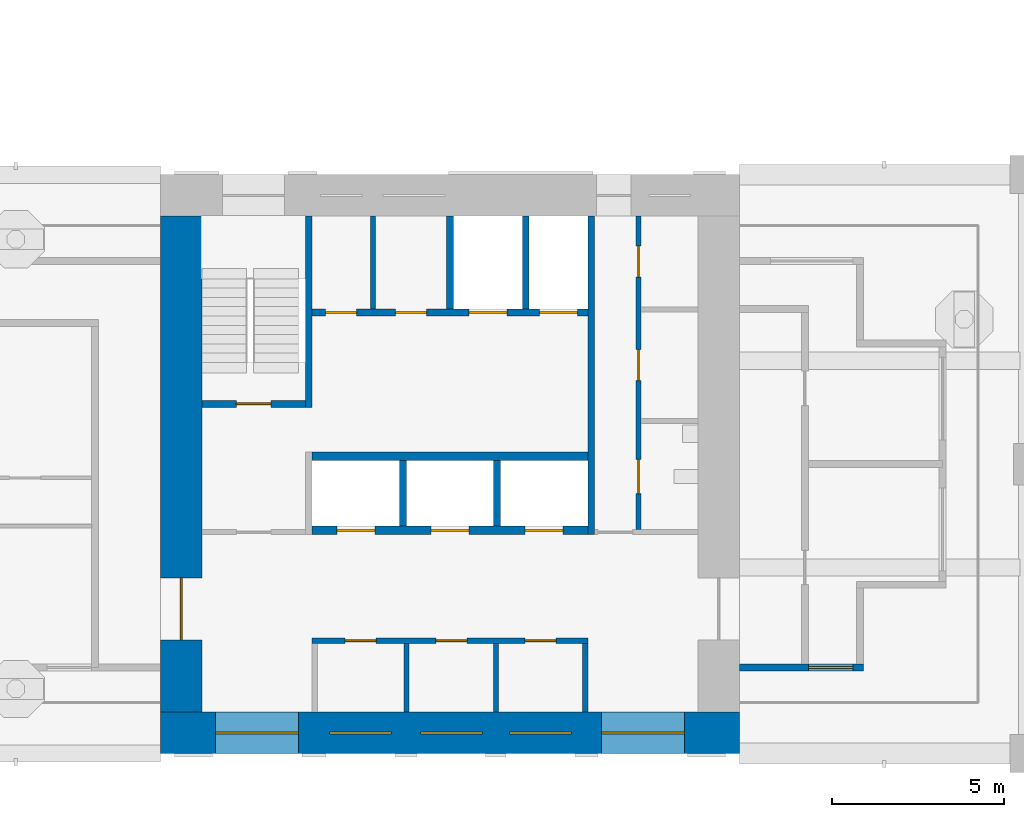
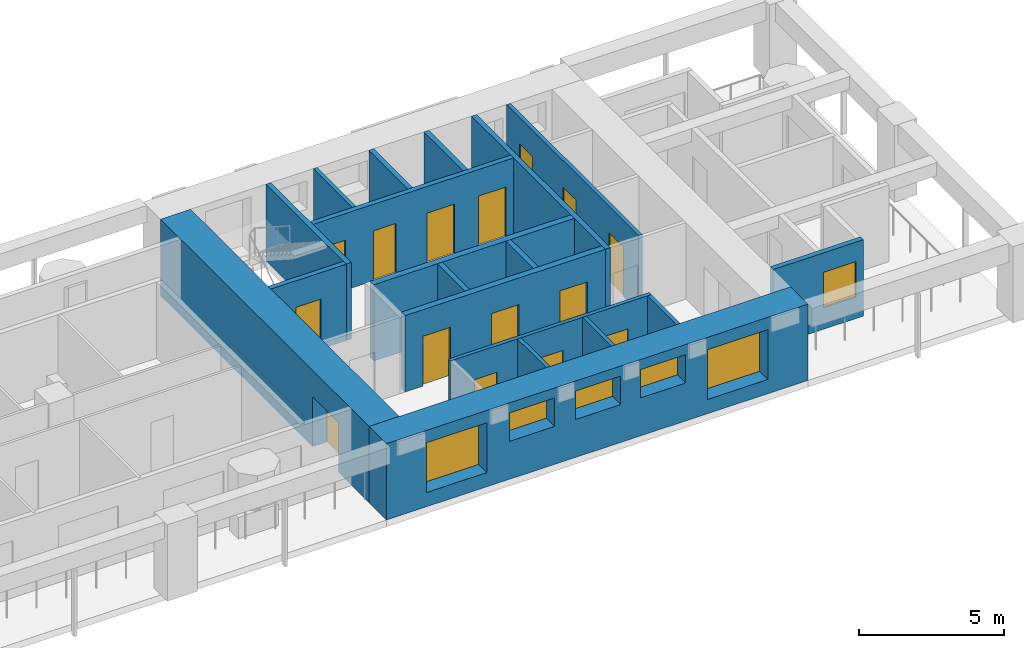
# One storey, part 4 of 13: 19 walls, 15 doors, 6 windows, 21 openings.
"""IFC4 building model written with IfcOpenShell, lengths in metres."""

from ifc_helpers import new_model, si_unit, direction, frame, frame_2d, origin, place, context, subcontext, project, spatial, rectangle, extrude, material, layer, layer_set, type_object, element, fill, save


model = new_model("IFC4")

# Units and contexts
model_context = context("Model", 3, precision=1e-05, world=origin(), true_north=direction((0.0, 1.0)))
body_context = subcontext(model_context, "Body", "Model", "MODEL_VIEW")
ifc_project = project(units=[si_unit("LENGTHUNIT", "METRE"), si_unit("AREAUNIT", "SQUARE_METRE"), si_unit("VOLUMEUNIT", "CUBIC_METRE"), si_unit("PLANEANGLEUNIT", "RADIAN"), si_unit("MASSUNIT", "GRAM", prefix="KILO")], contexts=[model_context])

# Site, building, storey
site_placement = place(None, origin())
site = spatial("IfcSite", under=ifc_project, at=site_placement, CompositionType="ELEMENT")
building_placement = place(site_placement, origin())
building = spatial("IfcBuilding", under=site, at=building_placement, Name="Vermilion Gate Residences", CompositionType="ELEMENT")
storey_placement = place(building_placement, frame((0.0, 0.0, 193.199951171875)))
storey = spatial("IfcBuildingStorey", under=building, at=storey_placement, Name="L50", CompositionType="ELEMENT", Elevation=193.199951171875)

# Walls
ifc_material_1 = material(Name="Masonry blockwork", Category="masonry")
ifc_layer_1 = layer(ifc_material_1, 0.14990234375)
ifc_layer_set_1 = layer_set([ifc_layer_1], Name="BLOCKWORK PARTITION 150 EI 120")
wall_type_1 = type_object("IfcWallType", Name="BLOCKWORK PARTITION 150 EI 120", PredefinedType="PARTITIONING", material=ifc_layer_set_1)
for number, where, z_axis, x_axis, name in (
    (1, (54.324951171875, 9.60009765625, 0.0), (0.0, 0.0, 1.0), (0.0, 1.0, 0.0), "Core room partition A50-RW-E"),
    (2, (49.14111328125, 9.60009765625, 0.0), (0.0, 0.0, 1.0), (0.0, 1.0, 0.0), "Core room partition A50-SR-P0"),
    (3, (51.73291015625, 9.60009765625, 0.0), (0.0, 0.0, 1.0), (0.0, 1.0, 0.0), "Core room partition A50-SR-P1"),
):
    element("IfcWall", number, at=place(storey_placement, frame(where, z_axis=z_axis, x_axis=x_axis)), inside=storey, type_object=wall_type_1, Name=name, PredefinedType="PARTITIONING", context=body_context, shape_type="SweptSolid", body=[
        extrude(rectangle(XDim=2.0, YDim=0.14990234375, at=frame_2d((1.0, 0.0))), origin(), (0.0, 0.0, 1.0), 3.219970703125),
    ])

# Wall, openings, doors
wall_1_placement = place(storey_placement, frame((46.39990234375, 11.675048828125, 0.0), z_axis=(0.0, 0.0, 1.0), x_axis=(1.0, 0.0, 0.0)))
wall_1 = element("IfcWall", 4, at=wall_1_placement, inside=storey, type_object=wall_type_1, Name="Core room partition A50-LR-F", PredefinedType="PARTITIONING", context=body_context, shape_type="SweptSolid", body=[
    extrude(rectangle(XDim=8.0, YDim=0.14990234375, at=frame_2d((4.0, 0.0))), origin(), (0.0, 0.0, 1.0), 3.219970703125),
])
opening_1_placement = place(wall_1_placement, frame((0.9580078125, 0.0, 0.0)))
opening_1 = element("IfcOpeningElement", 5, at=opening_1_placement, cuts=wall_1, Name="Opening DK50003", PredefinedType="OPENING", context=body_context, shape_type="SweptSolid", body=[
    extrude(rectangle(XDim=0.89990234375, YDim=2.10009765625, at=frame_2d((0.449951171875, 1.050048828125))), frame((0.0, 0.0849609375, 0.0), z_axis=(0.0, -1.0, 0.0), x_axis=(1.0, 0.0, 0.0)), (0.0, 0.0, 1.0), 0.169921875),
])
opening_2_placement = place(wall_1_placement, frame((3.5869140625, 0.0, 0.0)))
opening_2 = element("IfcOpeningElement", 6, at=opening_2_placement, cuts=wall_1, Name="Opening DK50004", PredefinedType="OPENING", context=body_context, shape_type="SweptSolid", body=[
    extrude(rectangle(XDim=0.89990234375, YDim=2.10009765625, at=frame_2d((0.449951171875, 1.050048828125))), frame((0.0, 0.0849609375, 0.0), z_axis=(0.0, -1.0, 0.0), x_axis=(1.0, 0.0, 0.0)), (0.0, 0.0, 1.0), 0.169921875),
])
opening_3_placement = place(wall_1_placement, frame((6.178955078125, 0.0, 0.0)))
opening_3 = element("IfcOpeningElement", 7, at=opening_3_placement, cuts=wall_1, Name="Opening DK50005", PredefinedType="OPENING", context=body_context, shape_type="SweptSolid", body=[
    extrude(rectangle(XDim=0.89990234375, YDim=2.10009765625, at=frame_2d((0.449951171875, 1.050048828125))), frame((0.0, 0.0849609375, 0.0), z_axis=(0.0, -1.0, 0.0), x_axis=(1.0, 0.0, 0.0)), (0.0, 0.0, 1.0), 0.169921875),
])
ifc_material_2 = material(Name="Steel", Category="steel")
door_type_1 = type_object("IfcDoorType", Name="SERVICE ROOM DOOR FD60 900 X 2100", OperationType="SINGLE_SWING_LEFT", PredefinedType="DOOR", material=ifc_material_2)
door_1_placement = place(opening_1_placement, origin())
door_1 = element("IfcDoor", 8, at=door_1_placement, inside=storey, type_object=door_type_1, Name="Electrical room A50", OperationType="SINGLE_SWING_LEFT", OverallHeight=2.10009765625, OverallWidth=0.89990234375, PredefinedType="DOOR", context=body_context, shape_type="SweptSolid", body=[
    extrude(rectangle(XDim=0.89990234375, YDim=2.10009765625, at=frame_2d((0.449951171875, 1.050048828125))), frame((0.0, 0.02490234375, 0.0), z_axis=(0.0, -1.0, 0.0), x_axis=(1.0, 0.0, 0.0)), (0.0, 0.0, 1.0), 0.050048828125),
])
fill(opening_1, door_1)
door_2_placement = place(opening_2_placement, frame((0.89990234375, 0.0, 0.0), z_axis=(0.0, 0.0, 1.0), x_axis=(-1.0, 0.0, 0.0)))
door_2 = element("IfcDoor", 9, at=door_2_placement, inside=storey, type_object=door_type_1, Name="Communications room A50", OperationType="SINGLE_SWING_LEFT", OverallHeight=2.10009765625, OverallWidth=0.89990234375, PredefinedType="DOOR", context=body_context, shape_type="SweptSolid", body=[
    extrude(rectangle(XDim=0.89990234375, YDim=2.10009765625, at=frame_2d((0.449951171875, 1.050048828125))), frame((0.0, 0.02490234375, 0.0), z_axis=(0.0, -1.0, 0.0), x_axis=(1.0, 0.0, 0.0)), (0.0, 0.0, 1.0), 0.050048828125),
])
fill(opening_2, door_2)
door_3_placement = place(opening_3_placement, frame((0.89990234375, 0.0, 0.0), z_axis=(0.0, 0.0, 1.0), x_axis=(-1.0, 0.0, 0.0)))
door_3 = element("IfcDoor", 10, at=door_3_placement, inside=storey, type_object=door_type_1, Name="Refuse room A50", OperationType="SINGLE_SWING_RIGHT", OverallHeight=2.10009765625, OverallWidth=0.89990234375, PredefinedType="DOOR", context=body_context, shape_type="SweptSolid", body=[
    extrude(rectangle(XDim=0.89990234375, YDim=2.10009765625, at=frame_2d((0.449951171875, 1.050048828125))), frame((0.0, 0.02490234375, 0.0), z_axis=(0.0, -1.0, 0.0), x_axis=(1.0, 0.0, 0.0)), (0.0, 0.0, 1.0), 0.050048828125),
])
fill(opening_3, door_3)

# Wall
wall_2_placement = place(storey_placement, frame((48.16259765625, 21.300048828125, 0.0), z_axis=(0.0, 0.0, 1.0), x_axis=(0.0, 1.0, 0.0)))
element("IfcWall", 11, at=wall_2_placement, inside=storey, type_object=wall_type_1, Name="Core room partition A50-NR-P0", PredefinedType="PARTITIONING", context=body_context, shape_type="SweptSolid", body=[
    extrude(rectangle(XDim=2.699951171875, YDim=0.14990234375, at=frame_2d((1.35009765625, 0.0))), origin(), (0.0, 0.0, 1.0), 3.219970703125),
])

# Wall, openings, doors
wall_3_placement = place(storey_placement, frame((55.875, 14.89990234375, 0.0), z_axis=(0.0, 0.0, 1.0), x_axis=(0.0, 1.0, 0.0)))
wall_3 = element("IfcWall", 12, at=wall_3_placement, inside=storey, type_object=wall_type_1, Name="Core room partition A50-ES-W", PredefinedType="PARTITIONING", context=body_context, shape_type="SweptSolid", body=[
    extrude(rectangle(XDim=9.10009765625, YDim=0.14990234375, at=frame_2d((4.550048828125, 0.0))), origin(), (0.0, 0.0, 1.0), 3.219970703125),
])
opening_4_placement = place(wall_3_placement, frame((1.0400390625, 0.0, 0.0)))
opening_4 = element("IfcOpeningElement", 13, at=opening_4_placement, cuts=wall_3, Name="Opening DK50016", PredefinedType="OPENING", context=body_context, shape_type="SweptSolid", body=[
    extrude(rectangle(XDim=1.0, YDim=2.10009765625, at=frame_2d((0.5, 1.050048828125))), frame((0.0, 0.0849609375, 0.0), z_axis=(0.0, -1.0, 0.0), x_axis=(1.0, 0.0, 0.0)), (0.0, 0.0, 1.0), 0.169921875),
])
opening_5_placement = place(wall_3_placement, frame((4.320068359375, 0.0, 0.0)))
opening_5 = element("IfcOpeningElement", 14, at=opening_5_placement, cuts=wall_3, Name="Opening DK50017", PredefinedType="OPENING", context=body_context, shape_type="SweptSolid", body=[
    extrude(rectangle(XDim=0.89990234375, YDim=2.10009765625, at=frame_2d((0.449951171875, 1.050048828125))), frame((0.0, 0.0849609375, 0.0), z_axis=(0.0, -1.0, 0.0), x_axis=(1.0, 0.0, 0.0)), (0.0, 0.0, 1.0), 0.169921875),
])
opening_6_placement = place(wall_3_placement, frame((7.330078125, 0.0, 0.0)))
opening_6 = element("IfcOpeningElement", 15, at=opening_6_placement, cuts=wall_3, Name="Opening DK50018", PredefinedType="OPENING", context=body_context, shape_type="SweptSolid", body=[
    extrude(rectangle(XDim=0.89990234375, YDim=2.10009765625, at=frame_2d((0.449951171875, 1.050048828125))), frame((0.0, 0.0849609375, 0.0), z_axis=(0.0, -1.0, 0.0), x_axis=(1.0, 0.0, 0.0)), (0.0, 0.0, 1.0), 0.169921875),
])
ifc_material_3 = material(Name="Steel", Category="steel")
door_type_2 = type_object("IfcDoorType", Name="FIRE DOOR FD60 1000 X 2100", OperationType="SINGLE_SWING_LEFT", PredefinedType="DOOR", material=ifc_material_3)
door_4_placement = place(opening_4_placement, frame((1.0, 0.0, 0.0), z_axis=(0.0, 0.0, 1.0), x_axis=(-1.0, 0.0, 0.0)))
door_4 = element("IfcDoor", 16, at=door_4_placement, inside=storey, type_object=door_type_2, Name="Accessible WC A50", OperationType="SINGLE_SWING_LEFT", OverallHeight=2.10009765625, OverallWidth=1.0, PredefinedType="DOOR", context=body_context, shape_type="SweptSolid", body=[
    extrude(rectangle(XDim=1.0, YDim=2.10009765625, at=frame_2d((0.5, 1.050048828125))), frame((0.0, 0.02490234375, 0.0), z_axis=(0.0, -1.0, 0.0), x_axis=(1.0, 0.0, 0.0)), (0.0, 0.0, 1.0), 0.050048828125),
])
fill(opening_4, door_4)
door_5_placement = place(opening_5_placement, frame((0.89990234375, 0.0, 0.0), z_axis=(0.0, 0.0, 1.0), x_axis=(-1.0, 0.0, 0.0)))
door_5 = element("IfcDoor", 17, at=door_5_placement, inside=storey, type_object=door_type_1, Name="Refuse room A50", OperationType="SINGLE_SWING_RIGHT", OverallHeight=2.10009765625, OverallWidth=0.89990234375, PredefinedType="DOOR", context=body_context, shape_type="SweptSolid", body=[
    extrude(rectangle(XDim=0.89990234375, YDim=2.10009765625, at=frame_2d((0.449951171875, 1.050048828125))), frame((0.0, 0.02490234375, 0.0), z_axis=(0.0, -1.0, 0.0), x_axis=(1.0, 0.0, 0.0)), (0.0, 0.0, 1.0), 0.050048828125),
])
fill(opening_5, door_5)
door_6_placement = place(opening_6_placement, frame((0.89990234375, 0.0, 0.0), z_axis=(0.0, 0.0, 1.0), x_axis=(-1.0, 0.0, 0.0)))
door_6 = element("IfcDoor", 18, at=door_6_placement, inside=storey, type_object=door_type_1, Name="Parcel room A50", OperationType="SINGLE_SWING_LEFT", OverallHeight=2.10009765625, OverallWidth=0.89990234375, PredefinedType="DOOR", context=body_context, shape_type="SweptSolid", body=[
    extrude(rectangle(XDim=0.89990234375, YDim=2.10009765625, at=frame_2d((0.449951171875, 1.050048828125))), frame((0.0, 0.02490234375, 0.0), z_axis=(0.0, -1.0, 0.0), x_axis=(1.0, 0.0, 0.0)), (0.0, 0.0, 1.0), 0.050048828125),
])
fill(opening_6, door_6)

# Wall, opening, window
ifc_material_4 = material(Name="Insulated steel stud wall with terracotta rainscreen", Category="masonry")
ifc_layer_2 = layer(ifc_material_4, 0.199951171875)
ifc_layer_set_2 = layer_set([ifc_layer_2], Name="EXTERNAL WALL 200 TERRACOTTA RAINSCREEN")
wall_type_2 = type_object("IfcWallType", Name="EXTERNAL WALL 200 TERRACOTTA RAINSCREEN", PredefinedType="SOLIDWALL", material=ifc_layer_set_2)
wall_4_placement = place(storey_placement, frame((58.800048828125, 10.89990234375, 0.0), z_axis=(0.0, 0.0, 1.0), x_axis=(1.0, 0.0, 0.0)))
wall_4 = element("IfcWall", 19, at=wall_4_placement, inside=storey, type_object=wall_type_2, Name="External wall", PredefinedType="SOLIDWALL", context=body_context, shape_type="SweptSolid", body=[
    extrude(rectangle(XDim=3.599853515625, YDim=0.199951171875, at=frame_2d((1.7998046875, 0.0))), origin(), (0.0, 0.0, 1.0), 3.219970703125),
])
opening_7_placement = place(wall_4_placement, frame((2.0, 0.0, 0.89990234375)))
opening_7 = element("IfcOpeningElement", 20, at=opening_7_placement, cuts=wall_4, Name="Opening WE50015", PredefinedType="OPENING", context=body_context, shape_type="SweptSolid", body=[
    extrude(rectangle(XDim=1.300048828125, YDim=1.5, at=frame_2d((0.64990234375, 0.75))), frame((0.0, 0.10986328125, 0.0), z_axis=(0.0, -1.0, 0.0), x_axis=(1.0, 0.0, 0.0)), (0.0, 0.0, 1.0), 0.219970703125),
])
ifc_material_5 = material(Name="Aluminium and clear glass", Category="aluminium")
window_type_1 = type_object("IfcWindowType", Name="WINDOW 1300 X 1500", PartitioningType="SINGLE_PANEL", PredefinedType="WINDOW", material=ifc_material_5)
window_1_placement = place(opening_7_placement, origin())
window_1 = element("IfcWindow", 21, at=window_1_placement, inside=storey, type_object=window_type_1, Name="Window", OverallHeight=1.5, OverallWidth=1.300048828125, PartitioningType="SINGLE_PANEL", PredefinedType="WINDOW", context=body_context, shape_type="SweptSolid", body=[
    extrude(rectangle(XDim=1.300048828125, YDim=1.5, at=frame_2d((0.64990234375, 0.75))), frame((0.0, 0.030029296875, 0.0), z_axis=(0.0, -1.0, 0.0), x_axis=(1.0, 0.0, 0.0)), (0.0, 0.0, 1.0), 0.06005859375),
])
fill(opening_7, window_1)

# Walls
ifc_material_6 = material(Name="Concrete C60", Category="concrete")
ifc_layer_3 = layer(ifc_material_6, 0.199951171875)
ifc_layer_set_3 = layer_set([ifc_layer_3], Name="RC CORE INTERNAL WALL 200 C60")
wall_type_3 = type_object("IfcWallType", Name="RC CORE INTERNAL WALL 200 C60", PredefinedType="SHEAR", material=ifc_layer_set_3)
for number, where, z_axis, x_axis, name in (
    (22, (49.033447265625, 15.0, 0.0), (0.0, 0.0, 1.0), (0.0, 1.0, 0.0), "Core internal wall A50-HR-D1"),
    (23, (51.7666015625, 15.0, 0.0), (0.0, 0.0, 1.0), (0.0, 1.0, 0.0), "Core internal wall A50-HR-D2"),
):
    element("IfcWall", number, at=place(storey_placement, frame(where, z_axis=z_axis, x_axis=x_axis)), inside=storey, type_object=wall_type_3, Name=name, PredefinedType="SHEAR", context=body_context, shape_type="SweptSolid", body=[
        extrude(rectangle(XDim=1.89990234375, YDim=0.199951171875, at=frame_2d((0.949951171875, 0.0))), origin(), (0.0, 0.0, 1.0), 3.219970703125),
    ])
for number, where, z_axis, x_axis, name in (
    (24, (50.39990234375, 21.300048828125, 0.0), (0.0, 0.0, 1.0), (0.0, 1.0, 0.0), "Core internal wall A50-FF-D0"),
    (25, (52.60009765625, 21.300048828125, 0.0), (0.0, 0.0, 1.0), (0.0, 1.0, 0.0), "Core internal wall A50-FF-D1"),
):
    element("IfcWall", number, at=place(storey_placement, frame(where, z_axis=z_axis, x_axis=x_axis)), inside=storey, type_object=wall_type_3, Name=name, PredefinedType="SHEAR", context=body_context, shape_type="SweptSolid", body=[
        extrude(rectangle(XDim=2.699951171875, YDim=0.199951171875, at=frame_2d((1.35009765625, 0.0))), origin(), (0.0, 0.0, 1.0), 3.219970703125),
    ])

# Wall, openings, doors
wall_5_placement = place(storey_placement, frame((46.39990234375, 21.199951171875, 0.0), z_axis=(0.0, 0.0, 1.0), x_axis=(1.0, 0.0, 0.0)))
wall_5 = element("IfcWall", 26, at=wall_5_placement, inside=storey, type_object=wall_type_3, Name="Core internal wall A50-FF-F", PredefinedType="SHEAR", context=body_context, shape_type="SweptSolid", body=[
    extrude(rectangle(XDim=8.0, YDim=0.199951171875, at=frame_2d((4.0, 0.0))), origin(), (0.0, 0.0, 1.0), 3.219970703125),
])
opening_8_placement = place(wall_5_placement, frame((0.393798828125, 0.0, 0.0)))
opening_8 = element("IfcOpeningElement", 27, at=opening_8_placement, cuts=wall_5, Name="Opening DK50009", PredefinedType="OPENING", context=body_context, shape_type="SweptSolid", body=[
    extrude(rectangle(XDim=0.89990234375, YDim=2.10009765625, at=frame_2d((0.449951171875, 1.050048828125))), frame((0.0, 0.10986328125, 0.0), z_axis=(0.0, -1.0, 0.0), x_axis=(1.0, 0.0, 0.0)), (0.0, 0.0, 1.0), 0.219970703125),
])
opening_9_placement = place(wall_5_placement, frame((2.418701171875, 0.0, 0.0)))
opening_9 = element("IfcOpeningElement", 28, at=opening_9_placement, cuts=wall_5, Name="Opening DK50010", PredefinedType="OPENING", context=body_context, shape_type="SweptSolid", body=[
    extrude(rectangle(XDim=0.89990234375, YDim=2.10009765625, at=frame_2d((0.449951171875, 1.050048828125))), frame((0.0, 0.10986328125, 0.0), z_axis=(0.0, -1.0, 0.0), x_axis=(1.0, 0.0, 0.0)), (0.0, 0.0, 1.0), 0.219970703125),
])
opening_10_placement = place(wall_5_placement, frame((4.550048828125, 0.0, 0.0)))
opening_10 = element("IfcOpeningElement", 29, at=opening_10_placement, cuts=wall_5, Name="Opening LD", PredefinedType="OPENING", context=body_context, shape_type="SweptSolid", body=[
    extrude(rectangle(XDim=1.10009765625, YDim=2.10009765625, at=frame_2d((0.550048828125, 1.050048828125))), frame((0.0, 0.10986328125, 0.0), z_axis=(0.0, -1.0, 0.0), x_axis=(1.0, 0.0, 0.0)), (0.0, 0.0, 1.0), 0.219970703125),
])
opening_11_placement = place(wall_5_placement, frame((6.60009765625, 0.0, 0.0)))
opening_11 = element("IfcOpeningElement", 30, at=opening_11_placement, cuts=wall_5, Name="Opening LD", PredefinedType="OPENING", context=body_context, shape_type="SweptSolid", body=[
    extrude(rectangle(XDim=1.10009765625, YDim=2.10009765625, at=frame_2d((0.550048828125, 1.050048828125))), frame((0.0, 0.10986328125, 0.0), z_axis=(0.0, -1.0, 0.0), x_axis=(1.0, 0.0, 0.0)), (0.0, 0.0, 1.0), 0.219970703125),
])
ifc_material_7 = material(Name="Stainless steel", Category="steel")
door_type_3 = type_object("IfcDoorType", Name="LIFT LANDING DOOR E60 1100 X 2100", OperationType="DOUBLE_DOOR_SLIDING", PredefinedType="DOOR", material=ifc_material_7)
door_7_placement = place(opening_10_placement, origin())
door_7 = element("IfcDoor", 31, at=door_7_placement, inside=storey, type_object=door_type_3, Name="Lift landing door LFA1", OperationType="DOUBLE_DOOR_SLIDING", OverallHeight=2.10009765625, OverallWidth=1.10009765625, PredefinedType="DOOR", context=body_context, shape_type="SweptSolid", body=[
    extrude(rectangle(XDim=1.10009765625, YDim=2.10009765625, at=frame_2d((0.550048828125, 1.050048828125))), frame((0.0, 0.02490234375, 0.0), z_axis=(0.0, -1.0, 0.0), x_axis=(1.0, 0.0, 0.0)), (0.0, 0.0, 1.0), 0.050048828125),
])
fill(opening_10, door_7)
door_8_placement = place(opening_11_placement, origin())
door_8 = element("IfcDoor", 32, at=door_8_placement, inside=storey, type_object=door_type_3, Name="Lift landing door LCA1", OperationType="DOUBLE_DOOR_SLIDING", OverallHeight=2.10009765625, OverallWidth=1.10009765625, PredefinedType="DOOR", context=body_context, shape_type="SweptSolid", body=[
    extrude(rectangle(XDim=1.10009765625, YDim=2.10009765625, at=frame_2d((0.550048828125, 1.050048828125))), frame((0.0, 0.02490234375, 0.0), z_axis=(0.0, -1.0, 0.0), x_axis=(1.0, 0.0, 0.0)), (0.0, 0.0, 1.0), 0.050048828125),
])
fill(opening_11, door_8)
door_9_placement = place(opening_8_placement, origin())
door_9 = element("IfcDoor", 33, at=door_9_placement, inside=storey, type_object=door_type_1, Name="Electrical riser A50", OperationType="SINGLE_SWING_LEFT", OverallHeight=2.10009765625, OverallWidth=0.89990234375, PredefinedType="DOOR", context=body_context, shape_type="SweptSolid", body=[
    extrude(rectangle(XDim=0.89990234375, YDim=2.10009765625, at=frame_2d((0.449951171875, 1.050048828125))), frame((0.0, 0.02490234375, 0.0), z_axis=(0.0, -1.0, 0.0), x_axis=(1.0, 0.0, 0.0)), (0.0, 0.0, 1.0), 0.050048828125),
])
fill(opening_8, door_9)
door_10_placement = place(opening_9_placement, origin())
door_10 = element("IfcDoor", 34, at=door_10_placement, inside=storey, type_object=door_type_1, Name="Cleaner's store A50", OperationType="SINGLE_SWING_LEFT", OverallHeight=2.10009765625, OverallWidth=0.89990234375, PredefinedType="DOOR", context=body_context, shape_type="SweptSolid", body=[
    extrude(rectangle(XDim=0.89990234375, YDim=2.10009765625, at=frame_2d((0.449951171875, 1.050048828125))), frame((0.0, 0.02490234375, 0.0), z_axis=(0.0, -1.0, 0.0), x_axis=(1.0, 0.0, 0.0)), (0.0, 0.0, 1.0), 0.050048828125),
])
fill(opening_9, door_10)

# Wall
wall_6_placement = place(storey_placement, frame((46.300048828125, 18.449951171875, 0.0), z_axis=(0.0, 0.0, 1.0), x_axis=(0.0, 1.0, 0.0)))
element("IfcWall", 35, at=wall_6_placement, inside=storey, type_object=wall_type_3, Name="Core internal wall A50-WDIV2", PredefinedType="SHEAR", context=body_context, shape_type="SweptSolid", body=[
    extrude(rectangle(XDim=5.550048828125, YDim=0.199951171875, at=frame_2d((2.77490234375, 0.0))), origin(), (0.0, 0.0, 1.0), 3.219970703125),
])

# Wall, opening, door
wall_7_placement = place(storey_placement, frame((43.199951171875, 18.550048828125, 0.0), z_axis=(0.0, 0.0, 1.0), x_axis=(1.0, 0.0, 0.0)))
wall_7 = element("IfcWall", 36, at=wall_7_placement, inside=storey, type_object=wall_type_3, Name="Core internal wall A50-STW-S", PredefinedType="SHEAR", context=body_context, shape_type="SweptSolid", body=[
    extrude(rectangle(XDim=3.0, YDim=0.199951171875, at=frame_2d((1.5, 0.0))), origin(), (0.0, 0.0, 1.0), 3.219970703125),
])
opening_12_placement = place(wall_7_placement, frame((1.0, 0.0, 0.0)))
opening_12 = element("IfcOpeningElement", 37, at=opening_12_placement, cuts=wall_7, Name="Opening DK50014", PredefinedType="OPENING", context=body_context, shape_type="SweptSolid", body=[
    extrude(rectangle(XDim=1.0, YDim=2.10009765625, at=frame_2d((0.5, 1.050048828125))), frame((0.0, 0.10986328125, 0.0), z_axis=(0.0, -1.0, 0.0), x_axis=(1.0, 0.0, 0.0)), (0.0, 0.0, 1.0), 0.219970703125),
])
door_11_placement = place(opening_12_placement, origin())
door_11 = element("IfcDoor", 38, at=door_11_placement, inside=storey, type_object=door_type_2, Name="Stair door A50", OperationType="SINGLE_SWING_LEFT", OverallHeight=2.10009765625, OverallWidth=1.0, PredefinedType="DOOR", context=body_context, shape_type="SweptSolid", body=[
    extrude(rectangle(XDim=1.0, YDim=2.10009765625, at=frame_2d((0.5, 1.050048828125))), frame((0.0, 0.02490234375, 0.0), z_axis=(0.0, -1.0, 0.0), x_axis=(1.0, 0.0, 0.0)), (0.0, 0.0, 1.0), 0.050048828125),
])
fill(opening_12, door_11)

# Wall
wall_8_placement = place(storey_placement, frame((54.5, 14.75, 0.0), z_axis=(0.0, 0.0, 1.0), x_axis=(0.0, 1.0, 0.0)))
element("IfcWall", 39, at=wall_8_placement, inside=storey, type_object=wall_type_3, Name="Core internal wall A50-EDIV", PredefinedType="SHEAR", context=body_context, shape_type="SweptSolid", body=[
    extrude(rectangle(XDim=9.25, YDim=0.199951171875, at=frame_2d((4.625, 0.0))), origin(), (0.0, 0.0, 1.0), 3.219970703125),
])

# Wall, opening, door
ifc_material_8 = material(Name="Concrete C60", Category="concrete")
ifc_layer_4 = layer(ifc_material_8, 1.199951171875)
ifc_layer_set_4 = layer_set([ifc_layer_4], Name="RC CORE WALL 1200 C60")
wall_type_4 = type_object("IfcWallType", Name="RC CORE WALL 1200 C60", PredefinedType="SHEAR", material=ifc_layer_set_4)
wall_9_placement = place(storey_placement, frame((42.60009765625, 9.60009765625, 0.0), z_axis=(0.0, 0.0, 1.0), x_axis=(0.0, 1.0, 0.0)))
wall_9 = element("IfcWall", 40, at=wall_9_placement, inside=storey, type_object=wall_type_4, Name="Core wall A50-OUT-FR", PredefinedType="SHEAR", context=body_context, shape_type="SweptSolid", body=[
    extrude(rectangle(XDim=14.39990234375, YDim=1.199951171875, at=frame_2d((7.199951171875, 0.0))), origin(), (0.0, 0.0, 1.0), 3.219970703125),
])
opening_13_placement = place(wall_9_placement, frame((2.10009765625, 0.0, 0.0)))
opening_13 = element("IfcOpeningElement", 41, at=opening_13_placement, cuts=wall_9, Name="Opening DK50001", PredefinedType="OPENING", context=body_context, shape_type="SweptSolid", body=[
    extrude(rectangle(XDim=1.800048828125, YDim=2.10009765625, at=frame_2d((0.89990234375, 1.050048828125))), frame((0.0, 0.60986328125, 0.0), z_axis=(0.0, -1.0, 0.0), x_axis=(1.0, 0.0, 0.0)), (0.0, 0.0, 1.0), 1.219970703125),
])
ifc_material_9 = material(Name="Steel", Category="steel")
door_type_4 = type_object("IfcDoorType", Name="CORE LOBBY DOOR FD60 1800 X 2100", OperationType="DOUBLE_DOOR_SINGLE_SWING", PredefinedType="DOOR", material=ifc_material_9)
door_12_placement = place(opening_13_placement, frame((1.800048828125, 0.0, 0.0), z_axis=(0.0, 0.0, 1.0), x_axis=(-1.0, 0.0, 0.0)))
door_12 = element("IfcDoor", 42, at=door_12_placement, inside=storey, type_object=door_type_4, Name="Core lobby door A50", OperationType="DOUBLE_DOOR_SINGLE_SWING", OverallHeight=2.10009765625, OverallWidth=1.800048828125, PredefinedType="DOOR", context=body_context, shape_type="SweptSolid", body=[
    extrude(rectangle(XDim=1.800048828125, YDim=2.10009765625, at=frame_2d((0.89990234375, 1.050048828125))), frame((0.0, 0.02490234375, 0.0), z_axis=(0.0, -1.0, 0.0), x_axis=(1.0, 0.0, 0.0)), (0.0, 0.0, 1.0), 0.050048828125),
])
fill(opening_13, door_12)

# Wall, openings, windows
ifc_material_10 = material(Name="Concrete C60 red-oxide pigmented", Category="concrete")
ifc_layer_5 = layer(ifc_material_10, 1.199951171875)
ifc_layer_set_5 = layer_set([ifc_layer_5], Name="RC CORE WALL 1200 C60 RED OXIDE")
wall_type_5 = type_object("IfcWallType", Name="RC CORE WALL 1200 C60 RED OXIDE", PredefinedType="SHEAR", material=ifc_layer_set_5)
wall_10_placement = place(storey_placement, frame((42.0, 9.0, 0.0), z_axis=(0.0, 0.0, 1.0), x_axis=(1.0, 0.0, 0.0)))
wall_10 = element("IfcWall", 43, at=wall_10_placement, inside=storey, type_object=wall_type_5, Name="Core wall A50-OUT-B0", PredefinedType="SHEAR", context=body_context, shape_type="SweptSolid", body=[
    extrude(rectangle(XDim=16.800048828125, YDim=1.199951171875, at=frame_2d((8.39990234375, 0.0))), origin(), (0.0, 0.0, 1.0), 3.219970703125),
])
opening_14_placement = place(wall_10_placement, frame((1.60009765625, 0.0, 0.60009765625)))
opening_14 = element("IfcOpeningElement", 44, at=opening_14_placement, cuts=wall_10, Name="Opening WKA5001", PredefinedType="OPENING", context=body_context, shape_type="SweptSolid", body=[
    extrude(rectangle(XDim=2.39990234375, YDim=2.10009765625, at=frame_2d((1.199951171875, 1.050048828125))), frame((0.0, 0.60986328125, 0.0), z_axis=(0.0, -1.0, 0.0), x_axis=(1.0, 0.0, 0.0)), (0.0, 0.0, 1.0), 1.219970703125),
])
opening_15_placement = place(wall_10_placement, frame((4.907958984375, 0.0, 1.60009765625)))
opening_15 = element("IfcOpeningElement", 45, at=opening_15_placement, cuts=wall_10, Name="Opening WKA5002", PredefinedType="OPENING", context=body_context, shape_type="SweptSolid", body=[
    extrude(rectangle(XDim=1.800048828125, YDim=1.199951171875, at=frame_2d((0.89990234375, 0.60009765625))), frame((0.0, 0.60986328125, 0.0), z_axis=(0.0, -1.0, 0.0), x_axis=(1.0, 0.0, 0.0)), (0.0, 0.0, 1.0), 1.219970703125),
])
opening_16_placement = place(wall_10_placement, frame((7.537109375, 0.0, 1.60009765625)))
opening_16 = element("IfcOpeningElement", 46, at=opening_16_placement, cuts=wall_10, Name="Opening WKA5003", PredefinedType="OPENING", context=body_context, shape_type="SweptSolid", body=[
    extrude(rectangle(XDim=1.800048828125, YDim=1.199951171875, at=frame_2d((0.89990234375, 0.60009765625))), frame((0.0, 0.60986328125, 0.0), z_axis=(0.0, -1.0, 0.0), x_axis=(1.0, 0.0, 0.0)), (0.0, 0.0, 1.0), 1.219970703125),
])
opening_17_placement = place(wall_10_placement, frame((10.12890625, 0.0, 1.60009765625)))
opening_17 = element("IfcOpeningElement", 47, at=opening_17_placement, cuts=wall_10, Name="Opening WKA5004", PredefinedType="OPENING", context=body_context, shape_type="SweptSolid", body=[
    extrude(rectangle(XDim=1.800048828125, YDim=1.199951171875, at=frame_2d((0.89990234375, 0.60009765625))), frame((0.0, 0.60986328125, 0.0), z_axis=(0.0, -1.0, 0.0), x_axis=(1.0, 0.0, 0.0)), (0.0, 0.0, 1.0), 1.219970703125),
])
opening_18_placement = place(wall_10_placement, frame((12.800048828125, 0.0, 0.60009765625)))
opening_18 = element("IfcOpeningElement", 48, at=opening_18_placement, cuts=wall_10, Name="Opening WKA5005", PredefinedType="OPENING", context=body_context, shape_type="SweptSolid", body=[
    extrude(rectangle(XDim=2.39990234375, YDim=2.10009765625, at=frame_2d((1.199951171875, 1.050048828125))), frame((0.0, 0.60986328125, 0.0), z_axis=(0.0, -1.0, 0.0), x_axis=(1.0, 0.0, 0.0)), (0.0, 0.0, 1.0), 1.219970703125),
])
ifc_material_11 = material(Name="Aluminium and clear glass", Category="aluminium")
window_type_2 = type_object("IfcWindowType", Name="CORE LOBBY WINDOW 2400 X 2100", PartitioningType="SINGLE_PANEL", PredefinedType="WINDOW", material=ifc_material_11)
window_2_placement = place(opening_14_placement, origin())
window_2 = element("IfcWindow", 49, at=window_2_placement, inside=storey, type_object=window_type_2, Name="Core lobby window", OverallHeight=2.10009765625, OverallWidth=2.39990234375, PartitioningType="SINGLE_PANEL", PredefinedType="WINDOW", context=body_context, shape_type="SweptSolid", body=[
    extrude(rectangle(XDim=2.39990234375, YDim=2.10009765625, at=frame_2d((1.199951171875, 1.050048828125))), frame((0.0, 0.030029296875, 0.0), z_axis=(0.0, -1.0, 0.0), x_axis=(1.0, 0.0, 0.0)), (0.0, 0.0, 1.0), 0.06005859375),
])
fill(opening_14, window_2)
window_3_placement = place(opening_18_placement, origin())
window_3 = element("IfcWindow", 50, at=window_3_placement, inside=storey, type_object=window_type_2, Name="Core lobby window", OverallHeight=2.10009765625, OverallWidth=2.39990234375, PartitioningType="SINGLE_PANEL", PredefinedType="WINDOW", context=body_context, shape_type="SweptSolid", body=[
    extrude(rectangle(XDim=2.39990234375, YDim=2.10009765625, at=frame_2d((1.199951171875, 1.050048828125))), frame((0.0, 0.030029296875, 0.0), z_axis=(0.0, -1.0, 0.0), x_axis=(1.0, 0.0, 0.0)), (0.0, 0.0, 1.0), 0.06005859375),
])
fill(opening_18, window_3)
ifc_material_12 = material(Name="Aluminium frame with louvre blades", Category="aluminium")
window_type_3 = type_object("IfcWindowType", Name="CORE LOUVRE 1800 X 1200", PartitioningType="SINGLE_PANEL", PredefinedType="WINDOW", material=ifc_material_12)
window_4_placement = place(opening_15_placement, origin())
window_4 = element("IfcWindow", 51, at=window_4_placement, inside=storey, type_object=window_type_3, Name="Core louvre", OverallHeight=1.199951171875, OverallWidth=1.800048828125, PartitioningType="SINGLE_PANEL", PredefinedType="WINDOW", context=body_context, shape_type="SweptSolid", body=[
    extrude(rectangle(XDim=1.800048828125, YDim=1.199951171875, at=frame_2d((0.89990234375, 0.60009765625))), frame((0.0, 0.030029296875, 0.0), z_axis=(0.0, -1.0, 0.0), x_axis=(1.0, 0.0, 0.0)), (0.0, 0.0, 1.0), 0.06005859375),
])
fill(opening_15, window_4)
window_5_placement = place(opening_16_placement, origin())
window_5 = element("IfcWindow", 52, at=window_5_placement, inside=storey, type_object=window_type_3, Name="Core louvre", OverallHeight=1.199951171875, OverallWidth=1.800048828125, PartitioningType="SINGLE_PANEL", PredefinedType="WINDOW", context=body_context, shape_type="SweptSolid", body=[
    extrude(rectangle(XDim=1.800048828125, YDim=1.199951171875, at=frame_2d((0.89990234375, 0.60009765625))), frame((0.0, 0.030029296875, 0.0), z_axis=(0.0, -1.0, 0.0), x_axis=(1.0, 0.0, 0.0)), (0.0, 0.0, 1.0), 0.06005859375),
])
fill(opening_16, window_5)
window_6_placement = place(opening_17_placement, origin())
window_6 = element("IfcWindow", 53, at=window_6_placement, inside=storey, type_object=window_type_3, Name="Core louvre", OverallHeight=1.199951171875, OverallWidth=1.800048828125, PartitioningType="SINGLE_PANEL", PredefinedType="WINDOW", context=body_context, shape_type="SweptSolid", body=[
    extrude(rectangle(XDim=1.800048828125, YDim=1.199951171875, at=frame_2d((0.89990234375, 0.60009765625))), frame((0.0, 0.030029296875, 0.0), z_axis=(0.0, -1.0, 0.0), x_axis=(1.0, 0.0, 0.0)), (0.0, 0.0, 1.0), 0.06005859375),
])
fill(opening_17, window_6)

# Wall, openings, doors
ifc_material_13 = material(Name="Concrete C60", Category="concrete")
ifc_layer_6 = layer(ifc_material_13, 0.25)
ifc_layer_set_6 = layer_set([ifc_layer_6], Name="RC LIFT SHAFT WALL 250 C60")
wall_type_6 = type_object("IfcWallType", Name="RC LIFT SHAFT WALL 250 C60", PredefinedType="SHEAR", material=ifc_layer_set_6)
wall_11_placement = place(storey_placement, frame((46.39990234375, 14.875, 0.0), z_axis=(0.0, 0.0, 1.0), x_axis=(1.0, 0.0, 0.0)))
wall_11 = element("IfcWall", 54, at=wall_11_placement, inside=storey, type_object=wall_type_6, Name="Lift shaft wall A50-HR-F", PredefinedType="SHEAR", context=body_context, shape_type="SweptSolid", body=[
    extrude(rectangle(XDim=8.0, YDim=0.25, at=frame_2d((4.0, 0.0))), origin(), (0.0, 0.0, 1.0), 3.219970703125),
])
opening_19_placement = place(wall_11_placement, frame((0.716552734375, 0.0, 0.0)))
opening_19 = element("IfcOpeningElement", 55, at=opening_19_placement, cuts=wall_11, Name="Opening LD", PredefinedType="OPENING", context=body_context, shape_type="SweptSolid", body=[
    extrude(rectangle(XDim=1.10009765625, YDim=2.10009765625, at=frame_2d((0.550048828125, 1.050048828125))), frame((0.0, 0.135009765625, 0.0), z_axis=(0.0, -1.0, 0.0), x_axis=(1.0, 0.0, 0.0)), (0.0, 0.0, 1.0), 0.27001953125),
])
opening_20_placement = place(wall_11_placement, frame((3.449951171875, 0.0, 0.0)))
opening_20 = element("IfcOpeningElement", 56, at=opening_20_placement, cuts=wall_11, Name="Opening LD", PredefinedType="OPENING", context=body_context, shape_type="SweptSolid", body=[
    extrude(rectangle(XDim=1.10009765625, YDim=2.10009765625, at=frame_2d((0.550048828125, 1.050048828125))), frame((0.0, 0.135009765625, 0.0), z_axis=(0.0, -1.0, 0.0), x_axis=(1.0, 0.0, 0.0)), (0.0, 0.0, 1.0), 0.27001953125),
])
opening_21_placement = place(wall_11_placement, frame((6.183349609375, 0.0, 0.0)))
opening_21 = element("IfcOpeningElement", 57, at=opening_21_placement, cuts=wall_11, Name="Opening LD", PredefinedType="OPENING", context=body_context, shape_type="SweptSolid", body=[
    extrude(rectangle(XDim=1.10009765625, YDim=2.10009765625, at=frame_2d((0.550048828125, 1.050048828125))), frame((0.0, 0.135009765625, 0.0), z_axis=(0.0, -1.0, 0.0), x_axis=(1.0, 0.0, 0.0)), (0.0, 0.0, 1.0), 0.27001953125),
])
door_13_placement = place(opening_19_placement, origin())
door_13 = element("IfcDoor", 58, at=door_13_placement, inside=storey, type_object=door_type_3, Name="Lift landing door HRA1", OperationType="DOUBLE_DOOR_SLIDING", OverallHeight=2.10009765625, OverallWidth=1.10009765625, PredefinedType="DOOR", context=body_context, shape_type="SweptSolid", body=[
    extrude(rectangle(XDim=1.10009765625, YDim=2.10009765625, at=frame_2d((0.550048828125, 1.050048828125))), frame((0.0, 0.02490234375, 0.0), z_axis=(0.0, -1.0, 0.0), x_axis=(1.0, 0.0, 0.0)), (0.0, 0.0, 1.0), 0.050048828125),
])
fill(opening_19, door_13)
door_14_placement = place(opening_20_placement, origin())
door_14 = element("IfcDoor", 59, at=door_14_placement, inside=storey, type_object=door_type_3, Name="Lift landing door HRA2", OperationType="DOUBLE_DOOR_SLIDING", OverallHeight=2.10009765625, OverallWidth=1.10009765625, PredefinedType="DOOR", context=body_context, shape_type="SweptSolid", body=[
    extrude(rectangle(XDim=1.10009765625, YDim=2.10009765625, at=frame_2d((0.550048828125, 1.050048828125))), frame((0.0, 0.02490234375, 0.0), z_axis=(0.0, -1.0, 0.0), x_axis=(1.0, 0.0, 0.0)), (0.0, 0.0, 1.0), 0.050048828125),
])
fill(opening_20, door_14)
door_15_placement = place(opening_21_placement, origin())
door_15 = element("IfcDoor", 60, at=door_15_placement, inside=storey, type_object=door_type_3, Name="Lift landing door HRA3", OperationType="DOUBLE_DOOR_SLIDING", OverallHeight=2.10009765625, OverallWidth=1.10009765625, PredefinedType="DOOR", context=body_context, shape_type="SweptSolid", body=[
    extrude(rectangle(XDim=1.10009765625, YDim=2.10009765625, at=frame_2d((0.550048828125, 1.050048828125))), frame((0.0, 0.02490234375, 0.0), z_axis=(0.0, -1.0, 0.0), x_axis=(1.0, 0.0, 0.0)), (0.0, 0.0, 1.0), 0.050048828125),
])
fill(opening_21, door_15)

# Wall
wall_12_placement = place(storey_placement, frame((46.39990234375, 17.02490234375, 0.0), z_axis=(0.0, 0.0, 1.0), x_axis=(1.0, 0.0, 0.0)))
element("IfcWall", 61, at=wall_12_placement, inside=storey, type_object=wall_type_6, Name="Lift shaft wall A50-HR-B", PredefinedType="SHEAR", context=body_context, shape_type="SweptSolid", body=[
    extrude(rectangle(XDim=8.0, YDim=0.25, at=frame_2d((4.0, 0.0))), origin(), (0.0, 0.0, 1.0), 3.219970703125),
])

save(model, "model.ifc")
